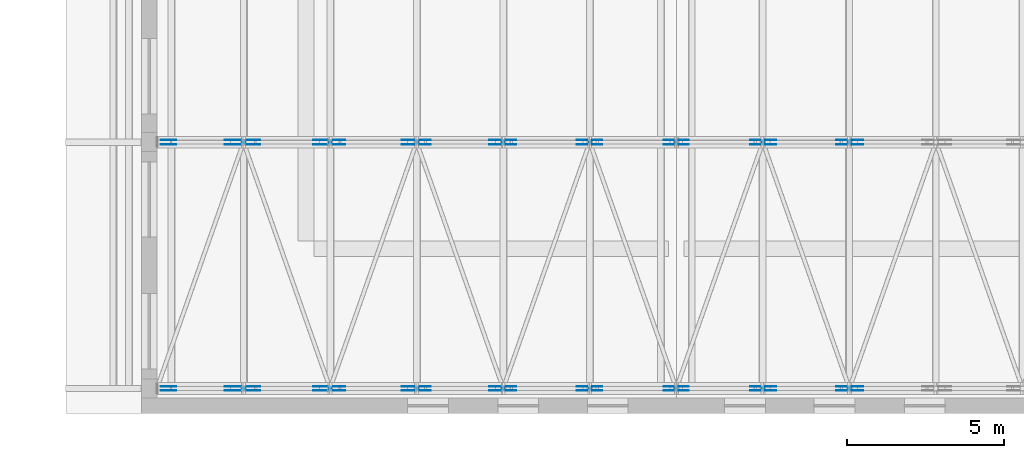
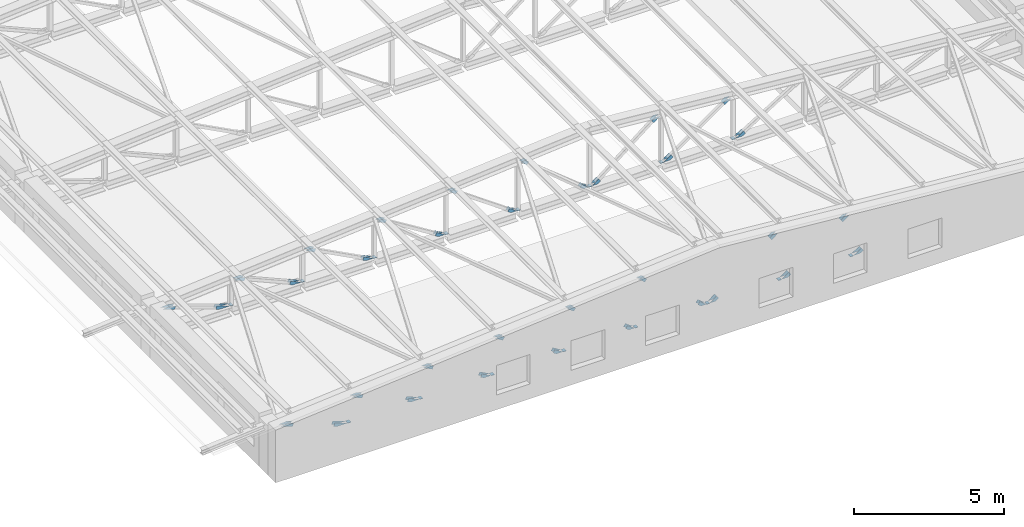
# One storey, part 47 of 60: 84 discrete accessories.
"""IFC4 building model written with IfcOpenShell, lengths in metres."""

from ifc_helpers import new_model, si_unit, direction, frame, origin, origin_2d, place, context, subcontext, project, spatial, polyline, rectangle, outline, extrude, material, layer, layer_set, type_object, element, save


model = new_model("IFC4")

# Units and contexts
model_context = context("Model", 3, precision=1e-05, world=origin(), true_north=direction((0.0, 1.0)))
body_context = subcontext(model_context, "Body", "Model", "MODEL_VIEW")
ifc_project = project(units=[si_unit("LENGTHUNIT", "METRE"), si_unit("AREAUNIT", "SQUARE_METRE"), si_unit("VOLUMEUNIT", "CUBIC_METRE"), si_unit("PLANEANGLEUNIT", "RADIAN"), si_unit("MASSUNIT", "GRAM", prefix="KILO")], contexts=[model_context])

# Site, building, storey
site_placement = place(None, origin())
site = spatial("IfcSite", under=ifc_project, at=site_placement, CompositionType="ELEMENT")
building_placement = place(site_placement, origin())
building = spatial("IfcBuilding", under=site, at=building_placement, Name="Ljudholm Concert House", CompositionType="ELEMENT")
storey_placement = place(building_placement, frame((0.0, 0.0, 15.0)))
storey = spatial("IfcBuildingStorey", under=building, at=storey_placement, Name="L03", CompositionType="ELEMENT", Elevation=15.0)

# Discrete accessories
ifc_material_1 = material(Name="Steel ASTM A36 plate", Category="steel")
ifc_layer_1 = layer(ifc_material_1, 0.011962890625)
ifc_layer_set_1 = layer_set([ifc_layer_1], Name="Steel ASTM A36 plate")
discrete_accessory_type_1 = type_object("IfcDiscreteAccessoryType", Name="GUSSET PLATE 12", PredefinedType="BRACKET", material=ifc_layer_set_1)
for number, where, z_axis, x_axis, name in (
    (1, (13.093994140625, 4.619384765625, -15.0), (0.0, 0.0, 1.0), (1.0, 0.0, 0.0), "Gusset plate"),
    (2, (13.093994140625, 4.48046875, -15.0), (0.0, 0.0, 1.0), (1.0, 0.0, 0.0), "Gusset plate"),
):
    element("IfcDiscreteAccessory", number, at=place(storey_placement, frame(where, z_axis=z_axis, x_axis=x_axis)), inside=storey, type_object=discrete_accessory_type_1, Name=name, PredefinedType="BRACKET", context=body_context, shape_type="SweptSolid", body=[
        extrude(outline(polyline([(0.12109375, 16.475341796875), (-0.32958984375, 16.631103515625), (-0.017578125, 16.65771484375), (0.16259765625, 16.595458984375), (0.12109375, 16.475341796875)])), frame((0.0, 0.005859375, 0.0), z_axis=(0.0, -1.0, 0.0), x_axis=(1.0, 0.0, 0.0)), (0.0, 0.0, 1.0), 0.011962890625),
    ])
for number, where, z_axis, x_axis, name in (
    (3, (13.093994140625, 4.619384765625, -15.0), (0.0, 0.0, 1.0), (1.0, 0.0, 0.0), "Gusset plate"),
    (4, (13.093994140625, 4.48046875, -15.0), (0.0, 0.0, 1.0), (1.0, 0.0, 0.0), "Gusset plate"),
):
    element("IfcDiscreteAccessory", number, at=place(storey_placement, frame(where, z_axis=z_axis, x_axis=x_axis)), inside=storey, type_object=discrete_accessory_type_1, Name=name, PredefinedType="BRACKET", context=body_context, shape_type="SweptSolid", body=[
        extrude(outline(polyline([(1.749267578125, 16.046875), (2.23828125, 15.877685546875), (1.849609375, 15.877685546875), (1.707763671875, 15.9267578125), (1.749267578125, 16.046875)])), frame((0.0, 0.005859375, 0.0), z_axis=(0.0, -1.0, 0.0), x_axis=(1.0, 0.0, 0.0)), (0.0, 0.0, 1.0), 0.011962890625),
    ])
for number, where, z_axis, x_axis, name in (
    (5, (15.777099609375, 4.619384765625, -15.0), (0.0, 0.0, 1.0), (1.0, 0.0, 0.0), "Gusset plate"),
    (6, (15.777099609375, 4.48046875, -15.0), (0.0, 0.0, 1.0), (1.0, 0.0, 0.0), "Gusset plate"),
):
    element("IfcDiscreteAccessory", number, at=place(storey_placement, frame(where, z_axis=z_axis, x_axis=x_axis)), inside=storey, type_object=discrete_accessory_type_1, Name=name, PredefinedType="BRACKET", context=body_context, shape_type="SweptSolid", body=[
        extrude(outline(polyline([(0.112060546875, 16.698486328125), (-0.2666015625, 16.863525390625), (-0.00048828125, 16.885986328125), (0.162841796875, 16.81494140625), (0.112060546875, 16.698486328125)])), frame((0.0, 0.005859375, 0.0), z_axis=(0.0, -1.0, 0.0), x_axis=(1.0, 0.0, 0.0)), (0.0, 0.0, 1.0), 0.011962890625),
    ])
for number, where, z_axis, x_axis, name in (
    (7, (15.777099609375, 4.619384765625, -15.0), (0.0, 0.0, 1.0), (1.0, 0.0, 0.0), "Gusset plate"),
    (8, (15.777099609375, 4.48046875, -15.0), (0.0, 0.0, 1.0), (1.0, 0.0, 0.0), "Gusset plate"),
):
    element("IfcDiscreteAccessory", number, at=place(storey_placement, frame(where, z_axis=z_axis, x_axis=x_axis)), inside=storey, type_object=discrete_accessory_type_1, Name=name, PredefinedType="BRACKET", context=body_context, shape_type="SweptSolid", body=[
        extrude(outline(polyline([(1.90869140625, 16.05419921875), (2.3134765625, 15.877685546875), (1.99560546875, 15.877685546875), (1.85791015625, 15.937744140625), (1.90869140625, 16.05419921875)])), frame((0.0, 0.005859375, 0.0), z_axis=(0.0, -1.0, 0.0), x_axis=(1.0, 0.0, 0.0)), (0.0, 0.0, 1.0), 0.011962890625),
    ])
for number, where, z_axis, x_axis, name in (
    (9, (18.48583984375, 4.619384765625, -15.0), (0.0, 0.0, 1.0), (1.0, 0.0, 0.0), "Gusset plate"),
    (10, (18.48583984375, 4.48046875, -15.0), (0.0, 0.0, 1.0), (1.0, 0.0, 0.0), "Gusset plate"),
):
    element("IfcDiscreteAccessory", number, at=place(storey_placement, frame(where, z_axis=z_axis, x_axis=x_axis)), inside=storey, type_object=discrete_accessory_type_1, Name=name, PredefinedType="BRACKET", context=body_context, shape_type="SweptSolid", body=[
        extrude(outline(polyline([(0.10302734375, 16.924072265625), (-0.22412109375, 17.09619140625), (0.0107421875, 17.1162109375), (0.162353515625, 17.036376953125), (0.10302734375, 16.924072265625)])), frame((0.0, 0.005859375, 0.0), z_axis=(0.0, -1.0, 0.0), x_axis=(1.0, 0.0, 0.0)), (0.0, 0.0, 1.0), 0.011962890625),
    ])
for number, where, z_axis, x_axis, name in (
    (11, (18.48583984375, 4.619384765625, -15.0), (0.0, 0.0, 1.0), (1.0, 0.0, 0.0), "Gusset plate"),
    (12, (18.48583984375, 4.48046875, -15.0), (0.0, 0.0, 1.0), (1.0, 0.0, 0.0), "Gusset plate"),
):
    element("IfcDiscreteAccessory", number, at=place(storey_placement, frame(where, z_axis=z_axis, x_axis=x_axis)), inside=storey, type_object=discrete_accessory_type_1, Name=name, PredefinedType="BRACKET", context=body_context, shape_type="SweptSolid", body=[
        extrude(outline(polyline([(2.0166015625, 16.06005859375), (2.36279296875, 15.877685546875), (2.09033203125, 15.877685546875), (1.95751953125, 15.94775390625), (2.0166015625, 16.06005859375)])), frame((0.0, 0.005859375, 0.0), z_axis=(0.0, -1.0, 0.0), x_axis=(1.0, 0.0, 0.0)), (0.0, 0.0, 1.0), 0.011962890625),
    ])
for number, where, z_axis, x_axis, name in (
    (13, (21.20947265625, 4.619384765625, -15.0), (0.0, 0.0, 1.0), (1.0, 0.0, 0.0), "Gusset plate"),
    (14, (21.20947265625, 4.48046875, -15.0), (0.0, 0.0, 1.0), (1.0, 0.0, 0.0), "Gusset plate"),
):
    element("IfcDiscreteAccessory", number, at=place(storey_placement, frame(where, z_axis=z_axis, x_axis=x_axis)), inside=storey, type_object=discrete_accessory_type_1, Name=name, PredefinedType="BRACKET", context=body_context, shape_type="SweptSolid", body=[
        extrude(outline(polyline([(0.09423828125, 17.1513671875), (-0.193603515625, 17.3291015625), (0.018798828125, 17.34716796875), (0.160888671875, 17.259521484375), (0.09423828125, 17.1513671875)])), frame((0.0, 0.005859375, 0.0), z_axis=(0.0, -1.0, 0.0), x_axis=(1.0, 0.0, 0.0)), (0.0, 0.0, 1.0), 0.011962890625),
    ])
for number, where, z_axis, x_axis, name in (
    (15, (21.20947265625, 4.619384765625, -15.0), (0.0, 0.0, 1.0), (1.0, 0.0, 0.0), "Gusset plate"),
    (16, (21.20947265625, 4.48046875, -15.0), (0.0, 0.0, 1.0), (1.0, 0.0, 0.0), "Gusset plate"),
):
    element("IfcDiscreteAccessory", number, at=place(storey_placement, frame(where, z_axis=z_axis, x_axis=x_axis)), inside=storey, type_object=discrete_accessory_type_1, Name=name, PredefinedType="BRACKET", context=body_context, shape_type="SweptSolid", body=[
        extrude(outline(polyline([(2.09521484375, 16.064697265625), (2.397705078125, 15.877685546875), (2.156005859375, 15.877685546875), (2.0283203125, 15.95654296875), (2.09521484375, 16.064697265625)])), frame((0.0, 0.005859375, 0.0), z_axis=(0.0, -1.0, 0.0), x_axis=(1.0, 0.0, 0.0)), (0.0, 0.0, 1.0), 0.011962890625),
    ])
for number, where, z_axis, x_axis, name in (
    (17, (23.9423828125, 4.619384765625, -15.0), (0.0, 0.0, 1.0), (1.0, 0.0, 0.0), "Gusset plate"),
    (18, (23.9423828125, 4.48046875, -15.0), (0.0, 0.0, 1.0), (1.0, 0.0, 0.0), "Gusset plate"),
):
    element("IfcDiscreteAccessory", number, at=place(storey_placement, frame(where, z_axis=z_axis, x_axis=x_axis)), inside=storey, type_object=discrete_accessory_type_1, Name=name, PredefinedType="BRACKET", context=body_context, shape_type="SweptSolid", body=[
        extrude(outline(polyline([(0.085693359375, 17.38037109375), (-0.171142578125, 17.562255859375), (0.02490234375, 17.578857421875), (0.1591796875, 17.48388671875), (0.085693359375, 17.38037109375)])), frame((0.0, 0.005859375, 0.0), z_axis=(0.0, -1.0, 0.0), x_axis=(1.0, 0.0, 0.0)), (0.0, 0.0, 1.0), 0.011962890625),
    ])
for number, where, z_axis, x_axis, name in (
    (19, (23.9423828125, 4.619384765625, -15.0), (0.0, 0.0, 1.0), (1.0, 0.0, 0.0), "Gusset plate"),
    (20, (23.9423828125, 4.48046875, -15.0), (0.0, 0.0, 1.0), (1.0, 0.0, 0.0), "Gusset plate"),
):
    element("IfcDiscreteAccessory", number, at=place(storey_placement, frame(where, z_axis=z_axis, x_axis=x_axis)), inside=storey, type_object=discrete_accessory_type_1, Name=name, PredefinedType="BRACKET", context=body_context, shape_type="SweptSolid", body=[
        extrude(outline(polyline([(2.15478515625, 16.068115234375), (2.423095703125, 15.877685546875), (2.20361328125, 15.877685546875), (2.081298828125, 15.964599609375), (2.15478515625, 16.068115234375)])), frame((0.0, 0.005859375, 0.0), z_axis=(0.0, -1.0, 0.0), x_axis=(1.0, 0.0, 0.0)), (0.0, 0.0, 1.0), 0.011962890625),
    ])
for number, where, z_axis, x_axis, name in (
    (21, (26.681396484375, 4.619384765625, -15.0), (0.0, 0.0, 1.0), (1.0, 0.0, 0.0), "Gusset plate"),
    (22, (26.681396484375, 4.48046875, -15.0), (0.0, 0.0, 1.0), (1.0, 0.0, 0.0), "Gusset plate"),
):
    element("IfcDiscreteAccessory", number, at=place(storey_placement, frame(where, z_axis=z_axis, x_axis=x_axis)), inside=storey, type_object=discrete_accessory_type_1, Name=name, PredefinedType="BRACKET", context=body_context, shape_type="SweptSolid", body=[
        extrude(outline(polyline([(0.077392578125, 17.6103515625), (-0.15380859375, 17.79541015625), (0.030029296875, 17.81103515625), (0.15673828125, 17.70947265625), (0.077392578125, 17.6103515625)])), frame((0.0, 0.005859375, 0.0), z_axis=(0.0, -1.0, 0.0), x_axis=(1.0, 0.0, 0.0)), (0.0, 0.0, 1.0), 0.011962890625),
    ])
for number, where, z_axis, x_axis, name in (
    (23, (26.681396484375, 4.619384765625, -15.0), (0.0, 0.0, 1.0), (1.0, 0.0, 0.0), "Gusset plate"),
    (24, (26.681396484375, 4.48046875, -15.0), (0.0, 0.0, 1.0), (1.0, 0.0, 0.0), "Gusset plate"),
):
    element("IfcDiscreteAccessory", number, at=place(storey_placement, frame(where, z_axis=z_axis, x_axis=x_axis)), inside=storey, type_object=discrete_accessory_type_1, Name=name, PredefinedType="BRACKET", context=body_context, shape_type="SweptSolid", body=[
        extrude(outline(polyline([(2.201904296875, 16.07080078125), (2.4423828125, 15.877685546875), (2.239501953125, 15.877685546875), (2.122314453125, 15.9716796875), (2.201904296875, 16.07080078125)])), frame((0.0, 0.005859375, 0.0), z_axis=(0.0, -1.0, 0.0), x_axis=(1.0, 0.0, 0.0)), (0.0, 0.0, 1.0), 0.011962890625),
    ])
for number, where, z_axis, x_axis, name in (
    (25, (29.439697265625, 4.619384765625, -15.0), (0.0, 0.0, 1.0), (1.0, 0.0, 0.0), "Gusset plate"),
    (26, (29.439697265625, 4.48046875, -15.0), (0.0, 0.0, 1.0), (1.0, 0.0, 0.0), "Gusset plate"),
):
    element("IfcDiscreteAccessory", number, at=place(storey_placement, frame(where, z_axis=z_axis, x_axis=x_axis)), inside=storey, type_object=discrete_accessory_type_1, Name=name, PredefinedType="BRACKET", context=body_context, shape_type="SweptSolid", body=[
        extrude(outline(polyline([(0.15673828125, 15.9716796875), (0.039794921875, 15.877685546875), (-0.163330078125, 15.877685546875), (0.077392578125, 16.07080078125), (0.15673828125, 15.9716796875)])), frame((0.0, 0.005859375, 0.0), z_axis=(0.0, -1.0, 0.0), x_axis=(1.0, 0.0, 0.0)), (0.0, 0.0, 1.0), 0.011962890625),
    ])
for number, where, z_axis, x_axis, name in (
    (27, (29.439697265625, 4.619384765625, -15.0), (0.0, 0.0, 1.0), (1.0, 0.0, 0.0), "Gusset plate"),
    (28, (29.439697265625, 4.48046875, -15.0), (0.0, 0.0, 1.0), (1.0, 0.0, 0.0), "Gusset plate"),
):
    element("IfcDiscreteAccessory", number, at=place(storey_placement, frame(where, z_axis=z_axis, x_axis=x_axis)), inside=storey, type_object=discrete_accessory_type_1, Name=name, PredefinedType="BRACKET", context=body_context, shape_type="SweptSolid", body=[
        extrude(outline(polyline([(2.122314453125, 17.70947265625), (2.2490234375, 17.81103515625), (2.432861328125, 17.79541015625), (2.201904296875, 17.6103515625), (2.122314453125, 17.70947265625)])), frame((0.0, 0.005859375, 0.0), z_axis=(0.0, -1.0, 0.0), x_axis=(1.0, 0.0, 0.0)), (0.0, 0.0, 1.0), 0.011962890625),
    ])
for number, where, z_axis, x_axis, name in (
    (29, (32.21728515625, 4.619384765625, -15.0), (0.0, 0.0, 1.0), (1.0, 0.0, 0.0), "Gusset plate"),
    (30, (32.21728515625, 4.48046875, -15.0), (0.0, 0.0, 1.0), (1.0, 0.0, 0.0), "Gusset plate"),
):
    element("IfcDiscreteAccessory", number, at=place(storey_placement, frame(where, z_axis=z_axis, x_axis=x_axis)), inside=storey, type_object=discrete_accessory_type_1, Name=name, PredefinedType="BRACKET", context=body_context, shape_type="SweptSolid", body=[
        extrude(outline(polyline([(0.1591796875, 15.964599609375), (0.03662109375, 15.877685546875), (-0.182861328125, 15.877685546875), (0.085693359375, 16.068115234375), (0.1591796875, 15.964599609375)])), frame((0.0, 0.005859375, 0.0), z_axis=(0.0, -1.0, 0.0), x_axis=(1.0, 0.0, 0.0)), (0.0, 0.0, 1.0), 0.011962890625),
    ])
for number, where, z_axis, x_axis, name in (
    (31, (32.21728515625, 4.619384765625, -15.0), (0.0, 0.0, 1.0), (1.0, 0.0, 0.0), "Gusset plate"),
    (32, (32.21728515625, 4.48046875, -15.0), (0.0, 0.0, 1.0), (1.0, 0.0, 0.0), "Gusset plate"),
):
    element("IfcDiscreteAccessory", number, at=place(storey_placement, frame(where, z_axis=z_axis, x_axis=x_axis)), inside=storey, type_object=discrete_accessory_type_1, Name=name, PredefinedType="BRACKET", context=body_context, shape_type="SweptSolid", body=[
        extrude(outline(polyline([(2.081298828125, 17.48388671875), (2.21533203125, 17.578857421875), (2.41162109375, 17.562255859375), (2.15478515625, 17.38037109375), (2.081298828125, 17.48388671875)])), frame((0.0, 0.005859375, 0.0), z_axis=(0.0, -1.0, 0.0), x_axis=(1.0, 0.0, 0.0)), (0.0, 0.0, 1.0), 0.011962890625),
    ])
for number, where, z_axis, x_axis, name in (
    (33, (35.001220703125, 4.619384765625, -15.0), (0.0, 0.0, 1.0), (1.0, 0.0, 0.0), "Gusset plate"),
    (34, (35.001220703125, 4.48046875, -15.0), (0.0, 0.0, 1.0), (1.0, 0.0, 0.0), "Gusset plate"),
):
    element("IfcDiscreteAccessory", number, at=place(storey_placement, frame(where, z_axis=z_axis, x_axis=x_axis)), inside=storey, type_object=discrete_accessory_type_1, Name=name, PredefinedType="BRACKET", context=body_context, shape_type="SweptSolid", body=[
        extrude(outline(polyline([(0.160888671875, 15.95654296875), (0.033447265625, 15.877685546875), (-0.208251953125, 15.877685546875), (0.09423828125, 16.064697265625), (0.160888671875, 15.95654296875)])), frame((0.0, 0.005859375, 0.0), z_axis=(0.0, -1.0, 0.0), x_axis=(1.0, 0.0, 0.0)), (0.0, 0.0, 1.0), 0.011962890625),
    ])
for number, where, z_axis, x_axis, name in (
    (35, (13.093994140625, 12.469482421875, -15.0), (0.0, 0.0, 1.0), (1.0, 0.0, 0.0), "Gusset plate"),
    (36, (13.093994140625, 12.33056640625, -15.0), (0.0, 0.0, 1.0), (1.0, 0.0, 0.0), "Gusset plate"),
):
    element("IfcDiscreteAccessory", number, at=place(storey_placement, frame(where, z_axis=z_axis, x_axis=x_axis)), inside=storey, type_object=discrete_accessory_type_1, Name=name, PredefinedType="BRACKET", context=body_context, shape_type="SweptSolid", body=[
        extrude(outline(polyline([(0.12109375, 16.475341796875), (-0.32958984375, 16.631103515625), (-0.017578125, 16.65771484375), (0.16259765625, 16.595458984375), (0.12109375, 16.475341796875)])), frame((0.0, 0.005859375, 0.0), z_axis=(0.0, -1.0, 0.0), x_axis=(1.0, 0.0, 0.0)), (0.0, 0.0, 1.0), 0.011962890625),
    ])
for number, where, z_axis, x_axis, name in (
    (37, (13.093994140625, 12.469482421875, -15.0), (0.0, 0.0, 1.0), (1.0, 0.0, 0.0), "Gusset plate"),
    (38, (13.093994140625, 12.33056640625, -15.0), (0.0, 0.0, 1.0), (1.0, 0.0, 0.0), "Gusset plate"),
):
    element("IfcDiscreteAccessory", number, at=place(storey_placement, frame(where, z_axis=z_axis, x_axis=x_axis)), inside=storey, type_object=discrete_accessory_type_1, Name=name, PredefinedType="BRACKET", context=body_context, shape_type="SweptSolid", body=[
        extrude(outline(polyline([(1.749267578125, 16.046875), (2.23828125, 15.877685546875), (1.849609375, 15.877685546875), (1.707763671875, 15.9267578125), (1.749267578125, 16.046875)])), frame((0.0, 0.005859375, 0.0), z_axis=(0.0, -1.0, 0.0), x_axis=(1.0, 0.0, 0.0)), (0.0, 0.0, 1.0), 0.011962890625),
    ])
for number, where, z_axis, x_axis, name in (
    (39, (15.777099609375, 12.469482421875, -15.0), (0.0, 0.0, 1.0), (1.0, 0.0, 0.0), "Gusset plate"),
    (40, (15.777099609375, 12.33056640625, -15.0), (0.0, 0.0, 1.0), (1.0, 0.0, 0.0), "Gusset plate"),
):
    element("IfcDiscreteAccessory", number, at=place(storey_placement, frame(where, z_axis=z_axis, x_axis=x_axis)), inside=storey, type_object=discrete_accessory_type_1, Name=name, PredefinedType="BRACKET", context=body_context, shape_type="SweptSolid", body=[
        extrude(outline(polyline([(0.112060546875, 16.698486328125), (-0.2666015625, 16.863525390625), (-0.00048828125, 16.885986328125), (0.162841796875, 16.81494140625), (0.112060546875, 16.698486328125)])), frame((0.0, 0.005859375, 0.0), z_axis=(0.0, -1.0, 0.0), x_axis=(1.0, 0.0, 0.0)), (0.0, 0.0, 1.0), 0.011962890625),
    ])
for number, where, z_axis, x_axis, name in (
    (41, (15.777099609375, 12.469482421875, -15.0), (0.0, 0.0, 1.0), (1.0, 0.0, 0.0), "Gusset plate"),
    (42, (15.777099609375, 12.33056640625, -15.0), (0.0, 0.0, 1.0), (1.0, 0.0, 0.0), "Gusset plate"),
):
    element("IfcDiscreteAccessory", number, at=place(storey_placement, frame(where, z_axis=z_axis, x_axis=x_axis)), inside=storey, type_object=discrete_accessory_type_1, Name=name, PredefinedType="BRACKET", context=body_context, shape_type="SweptSolid", body=[
        extrude(outline(polyline([(1.90869140625, 16.05419921875), (2.3134765625, 15.877685546875), (1.99560546875, 15.877685546875), (1.85791015625, 15.937744140625), (1.90869140625, 16.05419921875)])), frame((0.0, 0.005859375, 0.0), z_axis=(0.0, -1.0, 0.0), x_axis=(1.0, 0.0, 0.0)), (0.0, 0.0, 1.0), 0.011962890625),
    ])
for number, where, z_axis, x_axis, name in (
    (43, (18.48583984375, 12.469482421875, -15.0), (0.0, 0.0, 1.0), (1.0, 0.0, 0.0), "Gusset plate"),
    (44, (18.48583984375, 12.33056640625, -15.0), (0.0, 0.0, 1.0), (1.0, 0.0, 0.0), "Gusset plate"),
):
    element("IfcDiscreteAccessory", number, at=place(storey_placement, frame(where, z_axis=z_axis, x_axis=x_axis)), inside=storey, type_object=discrete_accessory_type_1, Name=name, PredefinedType="BRACKET", context=body_context, shape_type="SweptSolid", body=[
        extrude(outline(polyline([(0.10302734375, 16.924072265625), (-0.22412109375, 17.09619140625), (0.0107421875, 17.1162109375), (0.162353515625, 17.036376953125), (0.10302734375, 16.924072265625)])), frame((0.0, 0.005859375, 0.0), z_axis=(0.0, -1.0, 0.0), x_axis=(1.0, 0.0, 0.0)), (0.0, 0.0, 1.0), 0.011962890625),
    ])
for number, where, z_axis, x_axis, name in (
    (45, (18.48583984375, 12.469482421875, -15.0), (0.0, 0.0, 1.0), (1.0, 0.0, 0.0), "Gusset plate"),
    (46, (18.48583984375, 12.33056640625, -15.0), (0.0, 0.0, 1.0), (1.0, 0.0, 0.0), "Gusset plate"),
):
    element("IfcDiscreteAccessory", number, at=place(storey_placement, frame(where, z_axis=z_axis, x_axis=x_axis)), inside=storey, type_object=discrete_accessory_type_1, Name=name, PredefinedType="BRACKET", context=body_context, shape_type="SweptSolid", body=[
        extrude(outline(polyline([(2.0166015625, 16.06005859375), (2.36279296875, 15.877685546875), (2.09033203125, 15.877685546875), (1.95751953125, 15.94775390625), (2.0166015625, 16.06005859375)])), frame((0.0, 0.005859375, 0.0), z_axis=(0.0, -1.0, 0.0), x_axis=(1.0, 0.0, 0.0)), (0.0, 0.0, 1.0), 0.011962890625),
    ])
for number, where, z_axis, x_axis, name in (
    (47, (21.20947265625, 12.469482421875, -15.0), (0.0, 0.0, 1.0), (1.0, 0.0, 0.0), "Gusset plate"),
    (48, (21.20947265625, 12.33056640625, -15.0), (0.0, 0.0, 1.0), (1.0, 0.0, 0.0), "Gusset plate"),
):
    element("IfcDiscreteAccessory", number, at=place(storey_placement, frame(where, z_axis=z_axis, x_axis=x_axis)), inside=storey, type_object=discrete_accessory_type_1, Name=name, PredefinedType="BRACKET", context=body_context, shape_type="SweptSolid", body=[
        extrude(outline(polyline([(0.09423828125, 17.1513671875), (-0.193603515625, 17.3291015625), (0.018798828125, 17.34716796875), (0.160888671875, 17.259521484375), (0.09423828125, 17.1513671875)])), frame((0.0, 0.005859375, 0.0), z_axis=(0.0, -1.0, 0.0), x_axis=(1.0, 0.0, 0.0)), (0.0, 0.0, 1.0), 0.011962890625),
    ])
for number, where, z_axis, x_axis, name in (
    (49, (21.20947265625, 12.469482421875, -15.0), (0.0, 0.0, 1.0), (1.0, 0.0, 0.0), "Gusset plate"),
    (50, (21.20947265625, 12.33056640625, -15.0), (0.0, 0.0, 1.0), (1.0, 0.0, 0.0), "Gusset plate"),
):
    element("IfcDiscreteAccessory", number, at=place(storey_placement, frame(where, z_axis=z_axis, x_axis=x_axis)), inside=storey, type_object=discrete_accessory_type_1, Name=name, PredefinedType="BRACKET", context=body_context, shape_type="SweptSolid", body=[
        extrude(outline(polyline([(2.09521484375, 16.064697265625), (2.397705078125, 15.877685546875), (2.156005859375, 15.877685546875), (2.0283203125, 15.95654296875), (2.09521484375, 16.064697265625)])), frame((0.0, 0.005859375, 0.0), z_axis=(0.0, -1.0, 0.0), x_axis=(1.0, 0.0, 0.0)), (0.0, 0.0, 1.0), 0.011962890625),
    ])
for number, where, z_axis, x_axis, name in (
    (51, (23.9423828125, 12.469482421875, -15.0), (0.0, 0.0, 1.0), (1.0, 0.0, 0.0), "Gusset plate"),
    (52, (23.9423828125, 12.33056640625, -15.0), (0.0, 0.0, 1.0), (1.0, 0.0, 0.0), "Gusset plate"),
):
    element("IfcDiscreteAccessory", number, at=place(storey_placement, frame(where, z_axis=z_axis, x_axis=x_axis)), inside=storey, type_object=discrete_accessory_type_1, Name=name, PredefinedType="BRACKET", context=body_context, shape_type="SweptSolid", body=[
        extrude(outline(polyline([(0.085693359375, 17.38037109375), (-0.171142578125, 17.562255859375), (0.02490234375, 17.578857421875), (0.1591796875, 17.48388671875), (0.085693359375, 17.38037109375)])), frame((0.0, 0.005859375, 0.0), z_axis=(0.0, -1.0, 0.0), x_axis=(1.0, 0.0, 0.0)), (0.0, 0.0, 1.0), 0.011962890625),
    ])
for number, where, z_axis, x_axis, name in (
    (53, (23.9423828125, 12.469482421875, -15.0), (0.0, 0.0, 1.0), (1.0, 0.0, 0.0), "Gusset plate"),
    (54, (23.9423828125, 12.33056640625, -15.0), (0.0, 0.0, 1.0), (1.0, 0.0, 0.0), "Gusset plate"),
):
    element("IfcDiscreteAccessory", number, at=place(storey_placement, frame(where, z_axis=z_axis, x_axis=x_axis)), inside=storey, type_object=discrete_accessory_type_1, Name=name, PredefinedType="BRACKET", context=body_context, shape_type="SweptSolid", body=[
        extrude(outline(polyline([(2.15478515625, 16.068115234375), (2.423095703125, 15.877685546875), (2.20361328125, 15.877685546875), (2.081298828125, 15.964599609375), (2.15478515625, 16.068115234375)])), frame((0.0, 0.005859375, 0.0), z_axis=(0.0, -1.0, 0.0), x_axis=(1.0, 0.0, 0.0)), (0.0, 0.0, 1.0), 0.011962890625),
    ])
for number, where, z_axis, x_axis, name in (
    (55, (26.681396484375, 12.469482421875, -15.0), (0.0, 0.0, 1.0), (1.0, 0.0, 0.0), "Gusset plate"),
    (56, (26.681396484375, 12.33056640625, -15.0), (0.0, 0.0, 1.0), (1.0, 0.0, 0.0), "Gusset plate"),
):
    element("IfcDiscreteAccessory", number, at=place(storey_placement, frame(where, z_axis=z_axis, x_axis=x_axis)), inside=storey, type_object=discrete_accessory_type_1, Name=name, PredefinedType="BRACKET", context=body_context, shape_type="SweptSolid", body=[
        extrude(outline(polyline([(0.077392578125, 17.6103515625), (-0.15380859375, 17.79541015625), (0.030029296875, 17.81103515625), (0.15673828125, 17.70947265625), (0.077392578125, 17.6103515625)])), frame((0.0, 0.005859375, 0.0), z_axis=(0.0, -1.0, 0.0), x_axis=(1.0, 0.0, 0.0)), (0.0, 0.0, 1.0), 0.011962890625),
    ])
for number, where, z_axis, x_axis, name in (
    (57, (26.681396484375, 12.469482421875, -15.0), (0.0, 0.0, 1.0), (1.0, 0.0, 0.0), "Gusset plate"),
    (58, (26.681396484375, 12.33056640625, -15.0), (0.0, 0.0, 1.0), (1.0, 0.0, 0.0), "Gusset plate"),
):
    element("IfcDiscreteAccessory", number, at=place(storey_placement, frame(where, z_axis=z_axis, x_axis=x_axis)), inside=storey, type_object=discrete_accessory_type_1, Name=name, PredefinedType="BRACKET", context=body_context, shape_type="SweptSolid", body=[
        extrude(outline(polyline([(2.201904296875, 16.07080078125), (2.4423828125, 15.877685546875), (2.239501953125, 15.877685546875), (2.122314453125, 15.9716796875), (2.201904296875, 16.07080078125)])), frame((0.0, 0.005859375, 0.0), z_axis=(0.0, -1.0, 0.0), x_axis=(1.0, 0.0, 0.0)), (0.0, 0.0, 1.0), 0.011962890625),
    ])
for number, where, z_axis, x_axis, name in (
    (59, (29.439697265625, 12.469482421875, -15.0), (0.0, 0.0, 1.0), (1.0, 0.0, 0.0), "Gusset plate"),
    (60, (29.439697265625, 12.33056640625, -15.0), (0.0, 0.0, 1.0), (1.0, 0.0, 0.0), "Gusset plate"),
):
    element("IfcDiscreteAccessory", number, at=place(storey_placement, frame(where, z_axis=z_axis, x_axis=x_axis)), inside=storey, type_object=discrete_accessory_type_1, Name=name, PredefinedType="BRACKET", context=body_context, shape_type="SweptSolid", body=[
        extrude(outline(polyline([(0.15673828125, 15.9716796875), (0.039794921875, 15.877685546875), (-0.163330078125, 15.877685546875), (0.077392578125, 16.07080078125), (0.15673828125, 15.9716796875)])), frame((0.0, 0.005859375, 0.0), z_axis=(0.0, -1.0, 0.0), x_axis=(1.0, 0.0, 0.0)), (0.0, 0.0, 1.0), 0.011962890625),
    ])
for number, where, z_axis, x_axis, name in (
    (61, (29.439697265625, 12.469482421875, -15.0), (0.0, 0.0, 1.0), (1.0, 0.0, 0.0), "Gusset plate"),
    (62, (29.439697265625, 12.33056640625, -15.0), (0.0, 0.0, 1.0), (1.0, 0.0, 0.0), "Gusset plate"),
):
    element("IfcDiscreteAccessory", number, at=place(storey_placement, frame(where, z_axis=z_axis, x_axis=x_axis)), inside=storey, type_object=discrete_accessory_type_1, Name=name, PredefinedType="BRACKET", context=body_context, shape_type="SweptSolid", body=[
        extrude(outline(polyline([(2.122314453125, 17.70947265625), (2.2490234375, 17.81103515625), (2.432861328125, 17.79541015625), (2.201904296875, 17.6103515625), (2.122314453125, 17.70947265625)])), frame((0.0, 0.005859375, 0.0), z_axis=(0.0, -1.0, 0.0), x_axis=(1.0, 0.0, 0.0)), (0.0, 0.0, 1.0), 0.011962890625),
    ])
for number, where, z_axis, x_axis, name in (
    (63, (32.21728515625, 12.469482421875, -15.0), (0.0, 0.0, 1.0), (1.0, 0.0, 0.0), "Gusset plate"),
    (64, (32.21728515625, 12.33056640625, -15.0), (0.0, 0.0, 1.0), (1.0, 0.0, 0.0), "Gusset plate"),
):
    element("IfcDiscreteAccessory", number, at=place(storey_placement, frame(where, z_axis=z_axis, x_axis=x_axis)), inside=storey, type_object=discrete_accessory_type_1, Name=name, PredefinedType="BRACKET", context=body_context, shape_type="SweptSolid", body=[
        extrude(outline(polyline([(0.1591796875, 15.964599609375), (0.03662109375, 15.877685546875), (-0.182861328125, 15.877685546875), (0.085693359375, 16.068115234375), (0.1591796875, 15.964599609375)])), frame((0.0, 0.005859375, 0.0), z_axis=(0.0, -1.0, 0.0), x_axis=(1.0, 0.0, 0.0)), (0.0, 0.0, 1.0), 0.011962890625),
    ])
for number, where, z_axis, x_axis, name in (
    (65, (32.21728515625, 12.469482421875, -15.0), (0.0, 0.0, 1.0), (1.0, 0.0, 0.0), "Gusset plate"),
    (66, (32.21728515625, 12.33056640625, -15.0), (0.0, 0.0, 1.0), (1.0, 0.0, 0.0), "Gusset plate"),
):
    element("IfcDiscreteAccessory", number, at=place(storey_placement, frame(where, z_axis=z_axis, x_axis=x_axis)), inside=storey, type_object=discrete_accessory_type_1, Name=name, PredefinedType="BRACKET", context=body_context, shape_type="SweptSolid", body=[
        extrude(outline(polyline([(2.081298828125, 17.48388671875), (2.21533203125, 17.578857421875), (2.41162109375, 17.562255859375), (2.15478515625, 17.38037109375), (2.081298828125, 17.48388671875)])), frame((0.0, 0.005859375, 0.0), z_axis=(0.0, -1.0, 0.0), x_axis=(1.0, 0.0, 0.0)), (0.0, 0.0, 1.0), 0.011962890625),
    ])
for number, where, z_axis, x_axis, name in (
    (67, (35.001220703125, 12.469482421875, -15.0), (0.0, 0.0, 1.0), (1.0, 0.0, 0.0), "Gusset plate"),
    (68, (35.001220703125, 12.33056640625, -15.0), (0.0, 0.0, 1.0), (1.0, 0.0, 0.0), "Gusset plate"),
):
    element("IfcDiscreteAccessory", number, at=place(storey_placement, frame(where, z_axis=z_axis, x_axis=x_axis)), inside=storey, type_object=discrete_accessory_type_1, Name=name, PredefinedType="BRACKET", context=body_context, shape_type="SweptSolid", body=[
        extrude(outline(polyline([(0.160888671875, 15.95654296875), (0.033447265625, 15.877685546875), (-0.208251953125, 15.877685546875), (0.09423828125, 16.064697265625), (0.160888671875, 15.95654296875)])), frame((0.0, 0.005859375, 0.0), z_axis=(0.0, -1.0, 0.0), x_axis=(1.0, 0.0, 0.0)), (0.0, 0.0, 1.0), 0.011962890625),
    ])
ifc_material_2 = material(Name="Steel ASTM A36 plate", Category="steel")
ifc_layer_2 = layer(ifc_material_2, 0.01806640625)
ifc_layer_set_2 = layer_set([ifc_layer_2], Name="Steel ASTM A36 plate")
discrete_accessory_type_2 = type_object("IfcDiscreteAccessoryType", Name="SPLICE PLATE 18", PredefinedType="BRACKET", material=ifc_layer_set_2)
for number, where, z_axis, x_axis, name in (
    (69, (15.408203125, 4.550048828125, 0.85986328125), (0.0, 0.0, 1.0), (1.0, 0.0, 0.0), "Chord splice plate"),
    (70, (18.166748046875, 4.550048828125, 0.85986328125), (0.0, 0.0, 1.0), (1.0, 0.0, 0.0), "Chord splice plate"),
    (71, (20.925048828125, 4.550048828125, 0.85986328125), (0.0, 0.0, 1.0), (1.0, 0.0, 0.0), "Chord splice plate"),
    (72, (23.683349609375, 4.550048828125, 0.85986328125), (0.0, 0.0, 1.0), (1.0, 0.0, 0.0), "Chord splice plate"),
    (73, (26.441650390625, 4.550048828125, 0.85986328125), (0.0, 0.0, 1.0), (1.0, 0.0, 0.0), "Chord splice plate"),
    (74, (29.199951171875, 4.550048828125, 0.85986328125), (0.0, 0.0, 1.0), (1.0, 0.0, 0.0), "Chord splice plate"),
    (75, (31.958251953125, 4.550048828125, 0.85986328125), (0.0, 0.0, 1.0), (1.0, 0.0, 0.0), "Chord splice plate"),
    (76, (34.716796875, 4.550048828125, 0.85986328125), (0.0, 0.0, 1.0), (1.0, 0.0, 0.0), "Chord splice plate"),
    (77, (15.408203125, 12.39990234375, 0.85986328125), (0.0, 0.0, 1.0), (1.0, 0.0, 0.0), "Chord splice plate"),
    (78, (18.166748046875, 12.39990234375, 0.85986328125), (0.0, 0.0, 1.0), (1.0, 0.0, 0.0), "Chord splice plate"),
    (79, (20.925048828125, 12.39990234375, 0.85986328125), (0.0, 0.0, 1.0), (1.0, 0.0, 0.0), "Chord splice plate"),
    (80, (23.683349609375, 12.39990234375, 0.85986328125), (0.0, 0.0, 1.0), (1.0, 0.0, 0.0), "Chord splice plate"),
    (81, (26.441650390625, 12.39990234375, 0.85986328125), (0.0, 0.0, 1.0), (1.0, 0.0, 0.0), "Chord splice plate"),
    (82, (29.199951171875, 12.39990234375, 0.85986328125), (0.0, 0.0, 1.0), (1.0, 0.0, 0.0), "Chord splice plate"),
    (83, (31.958251953125, 12.39990234375, 0.85986328125), (0.0, 0.0, 1.0), (1.0, 0.0, 0.0), "Chord splice plate"),
    (84, (34.716796875, 12.39990234375, 0.85986328125), (0.0, 0.0, 1.0), (1.0, 0.0, 0.0), "Chord splice plate"),
):
    element("IfcDiscreteAccessory", number, at=place(storey_placement, frame(where, z_axis=z_axis, x_axis=x_axis)), inside=storey, type_object=discrete_accessory_type_2, Name=name, PredefinedType="BRACKET", context=body_context, shape_type="SweptSolid", body=[
        extrude(rectangle(XDim=0.1240234375, YDim=0.15234375, at=origin_2d()), origin(), (0.0, 0.0, 1.0), 0.01806640625),
    ])

save(model, "model.ifc")
